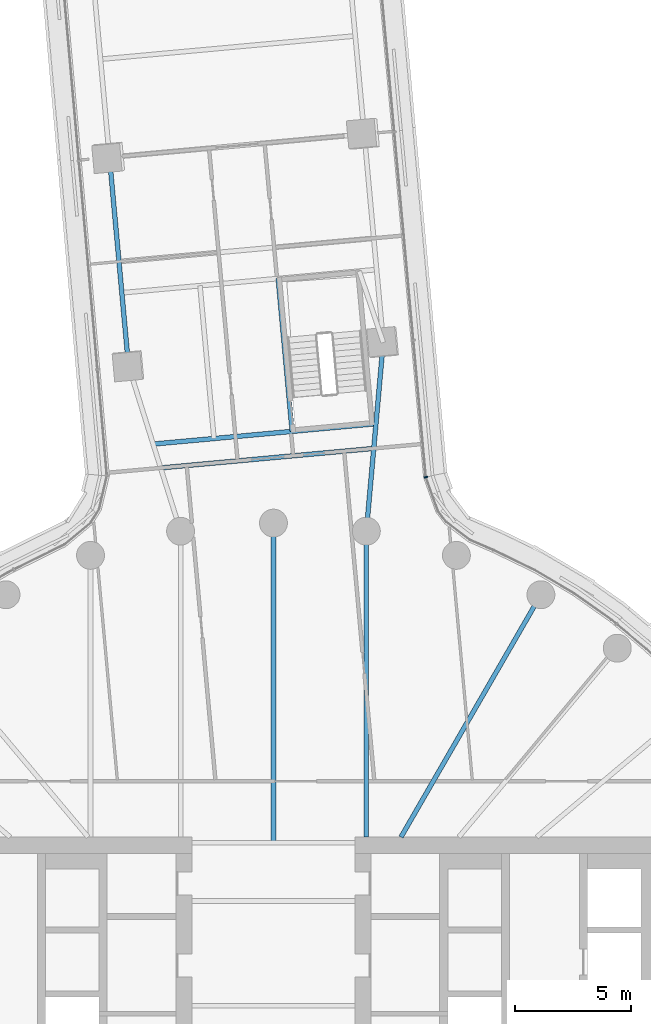
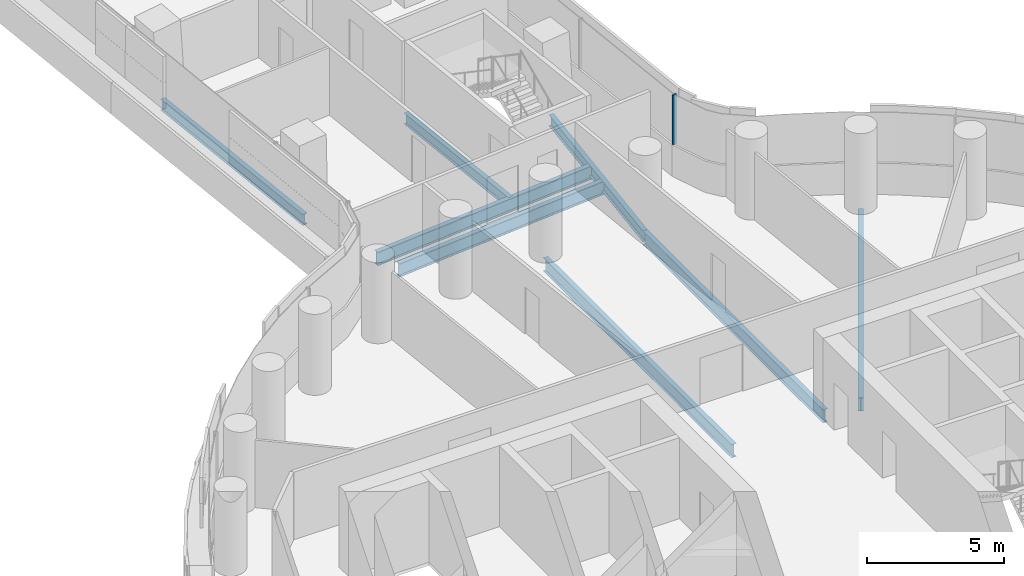
# One storey, part 14 of 31: 8 beams, 1 member, 1 element without a shape of its own.
"""IFC4 building model written with IfcOpenShell, lengths in metres."""

from ifc_helpers import new_model, si_unit, direction, frame, origin, origin_2d, place, context, subcontext, project, spatial, rectangle, i_section, extrude, material, layer, layer_set, material_profile, profile_set, type_object, element, aggregate, save


model = new_model("IFC4")

# Units and contexts
model_context = context("Model", 3, precision=1e-05, world=origin(), true_north=direction((0.0, 1.0)))
body_context = subcontext(model_context, "Body", "Model", "MODEL_VIEW")
ifc_project = project(units=[si_unit("LENGTHUNIT", "METRE"), si_unit("AREAUNIT", "SQUARE_METRE"), si_unit("VOLUMEUNIT", "CUBIC_METRE"), si_unit("PLANEANGLEUNIT", "RADIAN"), si_unit("MASSUNIT", "GRAM", prefix="KILO")], contexts=[model_context])

# Site, building, storey
site_placement = place(None, origin())
site = spatial("IfcSite", under=ifc_project, at=site_placement, CompositionType="ELEMENT")
building_placement = place(site_placement, origin())
building = spatial("IfcBuilding", under=site, at=building_placement, Name="Tamarind Cross Interchange Tower", CompositionType="ELEMENT")
storey_placement = place(building_placement, frame((0.0, 0.0, 52.75)))
storey = spatial("IfcBuildingStorey", under=building, at=storey_placement, Name="L11", CompositionType="ELEMENT", Elevation=52.75)

# Beams
ifc_material_1 = material(Name="Steel Q355B", Category="steel")
ifc_material_profile_1 = material_profile(ifc_material_1, i_section(OverallWidth=0.198974609375, OverallDepth=0.49609375, WebThickness=0.009033203125, FlangeThickness=0.013916015625, FilletRadius=0.012939453125, at=origin_2d()), Name="HN 496x199x9x14")
ifc_profile_set_1 = profile_set([ifc_material_profile_1], Name="Steel Q355B")
beam_type_1 = type_object("IfcBeamType", Name="Composite beam HN 496x199x9x14 Q355B", PredefinedType="BEAM", material=ifc_profile_set_1)
beam_1_placement = place(storey_placement, frame((-7.05224609375, 38.727294921875, -0.387939453125), z_axis=(0.091037133423, -0.995847498535, 0.0), x_axis=(0.995847498535, 0.091037133423, 0.0)))
element("IfcBeam", 1, at=beam_1_placement, inside=storey, type_object=beam_type_1, Name="Beam N-edgeep3", PredefinedType="BEAM", context=body_context, shape_type="SweptSolid", body=[
    extrude(i_section(OverallWidth=0.198974609375, OverallDepth=0.49609375, WebThickness=0.009033203125, FlangeThickness=0.013916015625, FilletRadius=0.012939453125, at=origin_2d()), origin(), (0.0, 0.0, 1.0), 9.0),
])
beam_2_placement = place(storey_placement, frame((4.721435546875, 30.766357421875, -0.387939453125), z_axis=(-0.089287574347, -0.996005888069, 0.0), x_axis=(0.996005888069, -0.089287574347, 0.0)))
element("IfcBeam", 2, at=beam_2_placement, inside=storey, type_object=beam_type_1, Name="Beam N-linkem", PredefinedType="BEAM", context=body_context, shape_type="SweptSolid", body=[
    extrude(i_section(OverallWidth=0.198974609375, OverallDepth=0.49609375, WebThickness=0.009033203125, FlangeThickness=0.013916015625, FilletRadius=0.012939453125, at=origin_2d()), origin(), (0.0, 0.0, 1.0), 8.148193359375),
])
beam_3_placement = place(storey_placement, frame((0.80322265625, 26.943603515625, -0.387939453125), z_axis=(-0.091032675757, 0.99584790603, 0.0), x_axis=(-0.99584790603, -0.091032675757, 0.0)))
element("IfcBeam", 3, at=beam_3_placement, inside=storey, type_object=beam_type_1, Name="Beam N-tr1", PredefinedType="BEAM", context=body_context, shape_type="SweptSolid", body=[
    extrude(i_section(OverallWidth=0.198974609375, OverallDepth=0.49609375, WebThickness=0.009033203125, FlangeThickness=0.013916015625, FilletRadius=0.012939453125, at=origin_2d()), origin(), (0.0, 0.0, 1.0), 6.60009765625),
])
ifc_material_profile_2 = material_profile(ifc_material_1, i_section(OverallWidth=0.198974609375, OverallDepth=0.595947265625, WebThickness=0.010009765625, FlangeThickness=0.014892578125, FilletRadius=0.012939453125, at=origin_2d()), Name="HN 596x199x10x15")
ifc_profile_set_2 = profile_set([ifc_material_profile_2], Name="Steel Q355B")
beam_type_2 = type_object("IfcBeamType", Name="Composite beam HN 596x199x10x15 Q355B", PredefinedType="BEAM", material=ifc_profile_set_2)
beam_4_placement = place(storey_placement, frame((11.5, 19.918701171875, -0.43798828125), z_axis=(-0.499993565836, -0.866029118519, 0.0), x_axis=(0.866029118519, -0.499993565836, 0.0)))
element("IfcBeam", 4, at=beam_4_placement, inside=storey, type_object=beam_type_2, Name="Beam HH06", PredefinedType="BEAM", context=body_context, shape_type="SweptSolid", body=[
    extrude(i_section(OverallWidth=0.198974609375, OverallDepth=0.595947265625, WebThickness=0.010009765625, FlangeThickness=0.014892578125, FilletRadius=0.012939453125, at=origin_2d()), origin(), (0.0, 0.0, 1.0), 12.030517578125),
])
beam_5_placement = place(storey_placement, frame((3.993896484375, 22.650634765625, -0.43798828125), z_axis=(0.0, -1.0, 0.0), x_axis=(1.0, 0.0, 0.0)))
element("IfcBeam", 5, at=beam_5_placement, inside=storey, type_object=beam_type_2, Name="Beam HH08", PredefinedType="BEAM", context=body_context, shape_type="SweptSolid", body=[
    extrude(i_section(OverallWidth=0.198974609375, OverallDepth=0.595947265625, WebThickness=0.010009765625, FlangeThickness=0.014892578125, FilletRadius=0.012939453125, at=origin_2d()), origin(), (0.0, 0.0, 1.0), 13.150634765625),
])
beam_6_placement = place(storey_placement, frame((0.0, 23.0, -0.43798828125), z_axis=(0.0, -1.0, 0.0), x_axis=(1.0, 0.0, 0.0)))
element("IfcBeam", 6, at=beam_6_placement, inside=storey, type_object=beam_type_2, Name="Beam HH09", PredefinedType="BEAM", context=body_context, shape_type="SweptSolid", body=[
    extrude(i_section(OverallWidth=0.198974609375, OverallDepth=0.595947265625, WebThickness=0.010009765625, FlangeThickness=0.014892578125, FilletRadius=0.012939453125, at=origin_2d()), origin(), (0.0, 0.0, 1.0), 13.75),
])
ifc_material_profile_3 = material_profile(ifc_material_1, i_section(OverallWidth=0.199951171875, OverallDepth=0.60009765625, WebThickness=0.010986328125, FlangeThickness=0.01708984375, FilletRadius=0.012939453125, at=origin_2d()), Name="HN 600x200x11x17")
ifc_profile_set_3 = profile_set([ifc_material_profile_3], Name="Steel Q355B")
beam_type_3 = type_object("IfcBeamType", Name="Composite beam HN 600x200x11x17 Q355B", PredefinedType="BEAM", material=ifc_profile_set_3)
beam_7_placement = place(storey_placement, frame((4.408203125, 27.273193359375, -0.43994140625), z_axis=(-0.995846693379, -0.091045940523, 0.0), x_axis=(0.091045940523, -0.995846693379, 0.0)))
element("IfcBeam", 7, at=beam_7_placement, inside=storey, type_object=beam_type_3, Name="Beam N-x268", PredefinedType="BEAM", context=body_context, shape_type="SweptSolid", body=[
    extrude(i_section(OverallWidth=0.199951171875, OverallDepth=0.60009765625, WebThickness=0.010986328125, FlangeThickness=0.01708984375, FilletRadius=0.012939453125, at=origin_2d()), origin(), (0.0, 0.0, 1.0), 9.621337890625),
])
beam_8_placement = place(storey_placement, frame((4.31298828125, 26.210205078125, -0.43994140625), z_axis=(-0.995845660591, -0.091057236296, 0.0), x_axis=(0.091057236296, -0.995845660591, 0.0)))
element("IfcBeam", 8, at=beam_8_placement, inside=storey, type_object=beam_type_3, Name="Beam N-x258", PredefinedType="BEAM", context=body_context, shape_type="SweptSolid", body=[
    extrude(i_section(OverallWidth=0.199951171875, OverallDepth=0.60009765625, WebThickness=0.010986328125, FlangeThickness=0.01708984375, FilletRadius=0.012939453125, at=origin_2d()), origin(), (0.0, 0.0, 1.0), 9.201904296875),
])

# Curtain wall, member
ifc_material_2 = material(Name="Aluminium 6063-T6", Category="aluminium")
ifc_layer = layer(ifc_material_2, 0.159912109375)
ifc_layer_set = layer_set([ifc_layer], Name="Aluminium 6063-T6")
curtain_wall_type = type_object("IfcCurtainWallType", Name="Office curtain wall, 9.0 m bays", PredefinedType="NOTDEFINED", material=ifc_layer_set)
curtain_wall_placement = place(storey_placement, origin())
curtain_wall = element("IfcCurtainWall", 9, at=curtain_wall_placement, inside=storey, type_object=curtain_wall_type, Name="CWS-L11-15", PredefinedType="NOTDEFINED")
ifc_material_profile_4 = material_profile(ifc_material_2, rectangle(XDim=0.06005859375, YDim=0.159912109375, at=origin_2d()), Name="Mullion CW1")
ifc_profile_set_4 = profile_set([ifc_material_profile_4], Name="Aluminium 6063-T6")
member_type = type_object("IfcMemberType", Name="Mullion CW1", PredefinedType="MULLION", material=ifc_profile_set_4)
member_placement = place(storey_placement, frame((6.55615234375, 24.9765625, 1.39990234375), z_axis=(0.0, 0.0, 1.0), x_axis=(-0.21525062077, 0.976558841165, 0.0)))
member = element("IfcMember", 10, at=member_placement, type_object=member_type, Name="CWM-L11-15-00", PredefinedType="MULLION", context=body_context, shape_type="SweptSolid", body=[
    extrude(rectangle(XDim=0.06005859375, YDim=0.159912109375, at=origin_2d()), origin(), (0.0, 0.0, 1.0), 2.210205078125),
])
aggregate(curtain_wall, [member])

save(model, "model.ifc")
